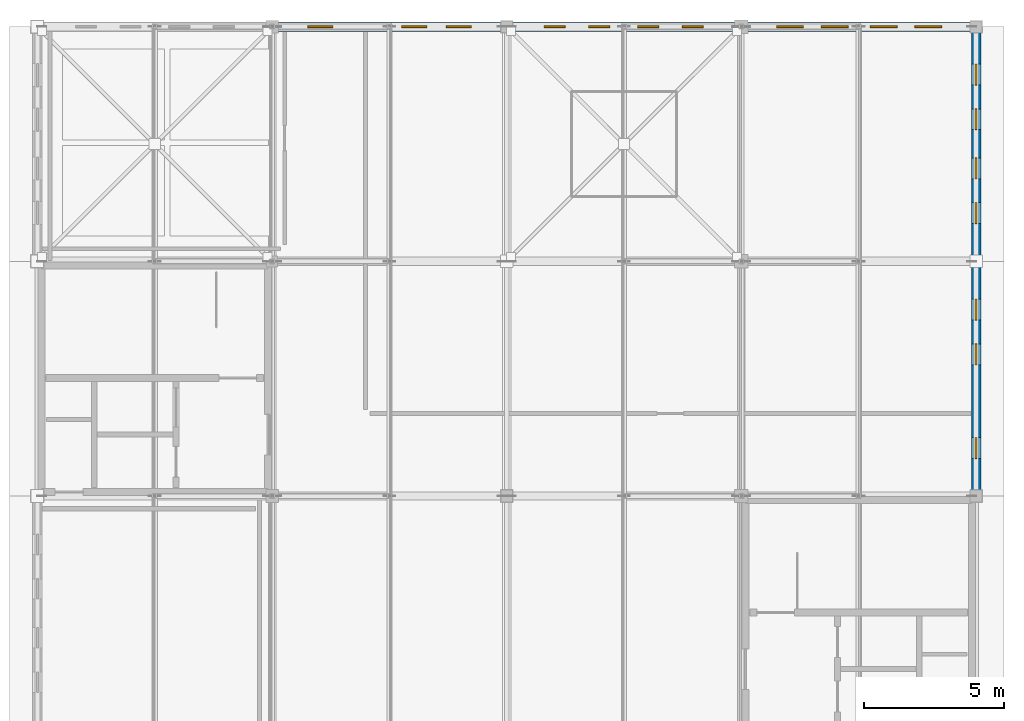
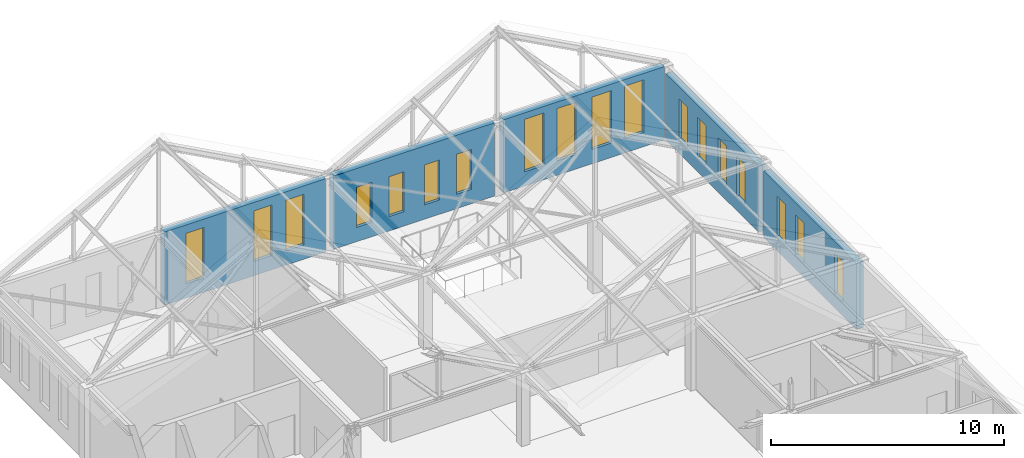
# One storey, part 35 of 36: 18 windows, 5 walls, 18 openings.
"""IFC4 building model written with IfcOpenShell, lengths in metres."""

from ifc_helpers import new_model, si_unit, direction, frame, frame_2d, origin, place, context, subcontext, project, spatial, rectangle, extrude, material, layer, layer_set, type_object, element, fill, save


model = new_model("IFC4")

# Units and contexts
model_context = context("Model", 3, precision=1e-05, world=origin(), true_north=direction((0.0, 1.0)))
body_context = subcontext(model_context, "Body", "Model", "MODEL_VIEW")
ifc_project = project(units=[si_unit("LENGTHUNIT", "METRE"), si_unit("AREAUNIT", "SQUARE_METRE"), si_unit("VOLUMEUNIT", "CUBIC_METRE"), si_unit("PLANEANGLEUNIT", "RADIAN"), si_unit("MASSUNIT", "GRAM", prefix="KILO")], contexts=[model_context])

# Site, building, storey
site_placement = place(None, origin())
site = spatial("IfcSite", under=ifc_project, at=site_placement, CompositionType="ELEMENT")
building_placement = place(site_placement, origin())
building = spatial("IfcBuilding", under=site, at=building_placement, Name="Kveldsbrygga Polytechnic", CompositionType="ELEMENT")
storey_placement = place(building_placement, frame((0.0, 0.0, 26.179931640625)))
storey = spatial("IfcBuildingStorey", under=building, at=storey_placement, Name="L06", CompositionType="ELEMENT", Elevation=26.179931640625)

# Wall, openings, windows
ifc_material_1 = material(Name="Fired clay brick masonry M10", Category="masonry")
ifc_layer = layer(ifc_material_1, 0.340087890625)
ifc_layer_set = layer_set([ifc_layer], Name="Fired clay brick masonry M10")
wall_type = type_object("IfcWallType", Name="EW-BRICK-340", PredefinedType="SOLIDWALL", material=ifc_layer_set)
wall_1_placement = place(storey_placement, frame((134.610107421875, 100.800048828125, 0.0), z_axis=(0.0, 0.0, 1.0), x_axis=(1.0, 0.0, 0.0)))
wall_1 = element("IfcWall", 1, at=wall_1_placement, inside=storey, type_object=wall_type, Name="Exterior Brick Wall EW-L06-X-16-12", PredefinedType="SOLIDWALL", context=body_context, shape_type="SweptSolid", body=[
    extrude(rectangle(XDim=7.994873046875, YDim=0.340087890625, at=frame_2d((3.99755859375, 0.0))), origin(), (0.0, 0.0, 1.0), 3.840087890625),
])
opening_1_placement = place(wall_1_placement, frame((1.069091796875, 0.0, 0.75)))
opening_1 = element("IfcOpeningElement", 2, at=opening_1_placement, cuts=wall_1, Name="Opening W-20", PredefinedType="OPENING", context=body_context, shape_type="SweptSolid", body=[
    extrude(rectangle(XDim=0.89990234375, YDim=2.64990234375, at=frame_2d((0.449951171875, 1.324951171875))), frame((0.0, 0.18017578125, 0.0), z_axis=(0.0, -1.0, 0.0), x_axis=(1.0, 0.0, 0.0)), (0.0, 0.0, 1.0), 0.360107421875),
])
opening_2_placement = place(wall_1_placement, frame((4.427001953125, 0.0, 0.75)))
opening_2 = element("IfcOpeningElement", 3, at=opening_2_placement, cuts=wall_1, Name="Opening W-20", PredefinedType="OPENING", context=body_context, shape_type="SweptSolid", body=[
    extrude(rectangle(XDim=0.89990234375, YDim=2.64990234375, at=frame_2d((0.449951171875, 1.324951171875))), frame((0.0, 0.18017578125, 0.0), z_axis=(0.0, -1.0, 0.0), x_axis=(1.0, 0.0, 0.0)), (0.0, 0.0, 1.0), 0.360107421875),
])
opening_3_placement = place(wall_1_placement, frame((6.02587890625, 0.0, 0.75)))
opening_3 = element("IfcOpeningElement", 4, at=opening_3_placement, cuts=wall_1, Name="Opening W-20", PredefinedType="OPENING", context=body_context, shape_type="SweptSolid", body=[
    extrude(rectangle(XDim=0.89990234375, YDim=2.64990234375, at=frame_2d((0.449951171875, 1.324951171875))), frame((0.0, 0.18017578125, 0.0), z_axis=(0.0, -1.0, 0.0), x_axis=(1.0, 0.0, 0.0)), (0.0, 0.0, 1.0), 0.360107421875),
])
ifc_material_2 = material(Name="Insulated triple low-E glass", Category="glass")
window_type_1 = type_object("IfcWindowType", Name="WN-LANC-090x265", PartitioningType="DOUBLE_PANEL_VERTICAL", PredefinedType="WINDOW", material=ifc_material_2)
window_1_placement = place(opening_1_placement, origin())
window_1 = element("IfcWindow", 5, at=window_1_placement, inside=storey, type_object=window_type_1, Name="Gothic Lancet Window WIN-L06-X-16-12-1", OverallHeight=2.64990234375, OverallWidth=0.89990234375, PartitioningType="DOUBLE_PANEL_VERTICAL", PredefinedType="WINDOW", context=body_context, shape_type="SweptSolid", body=[
    extrude(rectangle(XDim=0.89990234375, YDim=2.64990234375, at=frame_2d((0.449951171875, 1.324951171875))), frame((0.0, 0.030029296875, 0.0), z_axis=(0.0, -1.0, 0.0), x_axis=(1.0, 0.0, 0.0)), (0.0, 0.0, 1.0), 0.06005859375),
])
fill(opening_1, window_1)
window_2_placement = place(opening_2_placement, origin())
window_2 = element("IfcWindow", 6, at=window_2_placement, inside=storey, type_object=window_type_1, Name="Gothic Lancet Window WIN-L06-X-16-12-3", OverallHeight=2.64990234375, OverallWidth=0.89990234375, PartitioningType="DOUBLE_PANEL_VERTICAL", PredefinedType="WINDOW", context=body_context, shape_type="SweptSolid", body=[
    extrude(rectangle(XDim=0.89990234375, YDim=2.64990234375, at=frame_2d((0.449951171875, 1.324951171875))), frame((0.0, 0.030029296875, 0.0), z_axis=(0.0, -1.0, 0.0), x_axis=(1.0, 0.0, 0.0)), (0.0, 0.0, 1.0), 0.06005859375),
])
fill(opening_2, window_2)
window_3_placement = place(opening_3_placement, origin())
window_3 = element("IfcWindow", 7, at=window_3_placement, inside=storey, type_object=window_type_1, Name="Gothic Lancet Window WIN-L06-X-16-12-4", OverallHeight=2.64990234375, OverallWidth=0.89990234375, PartitioningType="DOUBLE_PANEL_VERTICAL", PredefinedType="WINDOW", context=body_context, shape_type="SweptSolid", body=[
    extrude(rectangle(XDim=0.89990234375, YDim=2.64990234375, at=frame_2d((0.449951171875, 1.324951171875))), frame((0.0, 0.030029296875, 0.0), z_axis=(0.0, -1.0, 0.0), x_axis=(1.0, 0.0, 0.0)), (0.0, 0.0, 1.0), 0.06005859375),
])
fill(opening_3, window_3)

wall_2_placement = place(storey_placement, frame((142.9951171875, 100.800048828125, 0.0), z_axis=(0.0, 0.0, 1.0), x_axis=(1.0, 0.0, 0.0)))
wall_2 = element("IfcWall", 8, at=wall_2_placement, inside=storey, type_object=wall_type, Name="Exterior Brick Wall EW-L06-X-17-12", PredefinedType="SOLIDWALL", context=body_context, shape_type="SweptSolid", body=[
    extrude(rectangle(XDim=7.97998046875, YDim=0.340087890625, at=frame_2d((3.989990234375, 0.0))), origin(), (0.0, 0.0, 1.0), 3.840087890625),
])
opening_4_placement = place(wall_2_placement, frame((1.14111328125, 0.0, 0.75)))
opening_4 = element("IfcOpeningElement", 9, at=opening_4_placement, cuts=wall_2, Name="Opening W-27", PredefinedType="OPENING", context=body_context, shape_type="SweptSolid", body=[
    extrude(rectangle(XDim=0.75, YDim=2.10009765625, at=frame_2d((0.375, 1.050048828125))), frame((0.0, 0.18017578125, 0.0), z_axis=(0.0, -1.0, 0.0), x_axis=(1.0, 0.0, 0.0)), (0.0, 0.0, 1.0), 0.360107421875),
])
opening_5_placement = place(wall_2_placement, frame((2.7373046875, 0.0, 0.75)))
opening_5 = element("IfcOpeningElement", 10, at=opening_5_placement, cuts=wall_2, Name="Opening W-27", PredefinedType="OPENING", context=body_context, shape_type="SweptSolid", body=[
    extrude(rectangle(XDim=0.75, YDim=2.10009765625, at=frame_2d((0.375, 1.050048828125))), frame((0.0, 0.18017578125, 0.0), z_axis=(0.0, -1.0, 0.0), x_axis=(1.0, 0.0, 0.0)), (0.0, 0.0, 1.0), 0.360107421875),
])
opening_6_placement = place(wall_2_placement, frame((4.492919921875, 0.0, 0.75)))
opening_6 = element("IfcOpeningElement", 11, at=opening_6_placement, cuts=wall_2, Name="Opening W-27", PredefinedType="OPENING", context=body_context, shape_type="SweptSolid", body=[
    extrude(rectangle(XDim=0.75, YDim=2.10009765625, at=frame_2d((0.375, 1.050048828125))), frame((0.0, 0.18017578125, 0.0), z_axis=(0.0, -1.0, 0.0), x_axis=(1.0, 0.0, 0.0)), (0.0, 0.0, 1.0), 0.360107421875),
])
opening_7_placement = place(wall_2_placement, frame((6.0888671875, 0.0, 0.75)))
opening_7 = element("IfcOpeningElement", 12, at=opening_7_placement, cuts=wall_2, Name="Opening W-27", PredefinedType="OPENING", context=body_context, shape_type="SweptSolid", body=[
    extrude(rectangle(XDim=0.75, YDim=2.10009765625, at=frame_2d((0.375, 1.050048828125))), frame((0.0, 0.18017578125, 0.0), z_axis=(0.0, -1.0, 0.0), x_axis=(1.0, 0.0, 0.0)), (0.0, 0.0, 1.0), 0.360107421875),
])
window_type_2 = type_object("IfcWindowType", Name="WN-ATTIC-075x210", PartitioningType="DOUBLE_PANEL_VERTICAL", PredefinedType="WINDOW", material=ifc_material_2)
window_4_placement = place(opening_4_placement, origin())
window_4 = element("IfcWindow", 13, at=window_4_placement, inside=storey, type_object=window_type_2, Name="Gothic Lancet Window WIN-L06-X-17-12-1", OverallHeight=2.10009765625, OverallWidth=0.75, PartitioningType="DOUBLE_PANEL_VERTICAL", PredefinedType="WINDOW", context=body_context, shape_type="SweptSolid", body=[
    extrude(rectangle(XDim=0.75, YDim=2.10009765625, at=frame_2d((0.375, 1.050048828125))), frame((0.0, 0.030029296875, 0.0), z_axis=(0.0, -1.0, 0.0), x_axis=(1.0, 0.0, 0.0)), (0.0, 0.0, 1.0), 0.06005859375),
])
fill(opening_4, window_4)
window_5_placement = place(opening_5_placement, origin())
window_5 = element("IfcWindow", 14, at=window_5_placement, inside=storey, type_object=window_type_2, Name="Gothic Lancet Window WIN-L06-X-17-12-2", OverallHeight=2.10009765625, OverallWidth=0.75, PartitioningType="DOUBLE_PANEL_VERTICAL", PredefinedType="WINDOW", context=body_context, shape_type="SweptSolid", body=[
    extrude(rectangle(XDim=0.75, YDim=2.10009765625, at=frame_2d((0.375, 1.050048828125))), frame((0.0, 0.030029296875, 0.0), z_axis=(0.0, -1.0, 0.0), x_axis=(1.0, 0.0, 0.0)), (0.0, 0.0, 1.0), 0.06005859375),
])
fill(opening_5, window_5)
window_6_placement = place(opening_6_placement, origin())
window_6 = element("IfcWindow", 15, at=window_6_placement, inside=storey, type_object=window_type_2, Name="Gothic Lancet Window WIN-L06-X-17-12-3", OverallHeight=2.10009765625, OverallWidth=0.75, PartitioningType="DOUBLE_PANEL_VERTICAL", PredefinedType="WINDOW", context=body_context, shape_type="SweptSolid", body=[
    extrude(rectangle(XDim=0.75, YDim=2.10009765625, at=frame_2d((0.375, 1.050048828125))), frame((0.0, 0.030029296875, 0.0), z_axis=(0.0, -1.0, 0.0), x_axis=(1.0, 0.0, 0.0)), (0.0, 0.0, 1.0), 0.06005859375),
])
fill(opening_6, window_6)
window_7_placement = place(opening_7_placement, origin())
window_7 = element("IfcWindow", 16, at=window_7_placement, inside=storey, type_object=window_type_2, Name="Gothic Lancet Window WIN-L06-X-17-12-4", OverallHeight=2.10009765625, OverallWidth=0.75, PartitioningType="DOUBLE_PANEL_VERTICAL", PredefinedType="WINDOW", context=body_context, shape_type="SweptSolid", body=[
    extrude(rectangle(XDim=0.75, YDim=2.10009765625, at=frame_2d((0.375, 1.050048828125))), frame((0.0, 0.030029296875, 0.0), z_axis=(0.0, -1.0, 0.0), x_axis=(1.0, 0.0, 0.0)), (0.0, 0.0, 1.0), 0.06005859375),
])
fill(opening_7, window_7)

wall_3_placement = place(storey_placement, frame((159.60009765625, 84.195068359375, 0.0), z_axis=(0.0, 0.0, 1.0), x_axis=(0.0, 1.0, 0.0)))
wall_3 = element("IfcWall", 17, at=wall_3_placement, inside=storey, type_object=wall_type, Name="Exterior Brick Wall EW-L06-Y-19-10", PredefinedType="SOLIDWALL", context=body_context, shape_type="SweptSolid", body=[
    extrude(rectangle(XDim=7.994873046875, YDim=0.340087890625, at=frame_2d((3.99755859375, 0.0))), origin(), (0.0, 0.0, 1.0), 3.47998046875),
])
opening_8_placement = place(wall_3_placement, frame((1.14404296875, 0.0, 0.75)))
opening_8 = element("IfcOpeningElement", 18, at=opening_8_placement, cuts=wall_3, Name="Opening W-27", PredefinedType="OPENING", context=body_context, shape_type="SweptSolid", body=[
    extrude(rectangle(XDim=0.75, YDim=2.10009765625, at=frame_2d((0.375, 1.050048828125))), frame((0.0, 0.18017578125, 0.0), z_axis=(0.0, -1.0, 0.0), x_axis=(1.0, 0.0, 0.0)), (0.0, 0.0, 1.0), 0.360107421875),
])
opening_9_placement = place(wall_3_placement, frame((4.501953125, 0.0, 0.75)))
opening_9 = element("IfcOpeningElement", 19, at=opening_9_placement, cuts=wall_3, Name="Opening W-27", PredefinedType="OPENING", context=body_context, shape_type="SweptSolid", body=[
    extrude(rectangle(XDim=0.75, YDim=2.10009765625, at=frame_2d((0.375, 1.050048828125))), frame((0.0, 0.18017578125, 0.0), z_axis=(0.0, -1.0, 0.0), x_axis=(1.0, 0.0, 0.0)), (0.0, 0.0, 1.0), 0.360107421875),
])
opening_10_placement = place(wall_3_placement, frame((6.100830078125, 0.0, 0.75)))
opening_10 = element("IfcOpeningElement", 20, at=opening_10_placement, cuts=wall_3, Name="Opening W-27", PredefinedType="OPENING", context=body_context, shape_type="SweptSolid", body=[
    extrude(rectangle(XDim=0.75, YDim=2.10009765625, at=frame_2d((0.375, 1.050048828125))), frame((0.0, 0.18017578125, 0.0), z_axis=(0.0, -1.0, 0.0), x_axis=(1.0, 0.0, 0.0)), (0.0, 0.0, 1.0), 0.360107421875),
])
window_8_placement = place(opening_8_placement, origin())
window_8 = element("IfcWindow", 21, at=window_8_placement, inside=storey, type_object=window_type_2, Name="Gothic Lancet Window WIN-L06-Y-19-10-1", OverallHeight=2.10009765625, OverallWidth=0.75, PartitioningType="DOUBLE_PANEL_VERTICAL", PredefinedType="WINDOW", context=body_context, shape_type="SweptSolid", body=[
    extrude(rectangle(XDim=0.75, YDim=2.10009765625, at=frame_2d((0.375, 1.050048828125))), frame((0.0, 0.030029296875, 0.0), z_axis=(0.0, -1.0, 0.0), x_axis=(1.0, 0.0, 0.0)), (0.0, 0.0, 1.0), 0.06005859375),
])
fill(opening_8, window_8)
window_9_placement = place(opening_9_placement, origin())
window_9 = element("IfcWindow", 22, at=window_9_placement, inside=storey, type_object=window_type_2, Name="Gothic Lancet Window WIN-L06-Y-19-10-3", OverallHeight=2.10009765625, OverallWidth=0.75, PartitioningType="DOUBLE_PANEL_VERTICAL", PredefinedType="WINDOW", context=body_context, shape_type="SweptSolid", body=[
    extrude(rectangle(XDim=0.75, YDim=2.10009765625, at=frame_2d((0.375, 1.050048828125))), frame((0.0, 0.030029296875, 0.0), z_axis=(0.0, -1.0, 0.0), x_axis=(1.0, 0.0, 0.0)), (0.0, 0.0, 1.0), 0.06005859375),
])
fill(opening_9, window_9)
window_10_placement = place(opening_10_placement, origin())
window_10 = element("IfcWindow", 23, at=window_10_placement, inside=storey, type_object=window_type_2, Name="Gothic Lancet Window WIN-L06-Y-19-10-4", OverallHeight=2.10009765625, OverallWidth=0.75, PartitioningType="DOUBLE_PANEL_VERTICAL", PredefinedType="WINDOW", context=body_context, shape_type="SweptSolid", body=[
    extrude(rectangle(XDim=0.75, YDim=2.10009765625, at=frame_2d((0.375, 1.050048828125))), frame((0.0, 0.030029296875, 0.0), z_axis=(0.0, -1.0, 0.0), x_axis=(1.0, 0.0, 0.0)), (0.0, 0.0, 1.0), 0.06005859375),
])
fill(opening_10, window_10)

wall_4_placement = place(storey_placement, frame((151.425048828125, 100.800048828125, 0.0), z_axis=(0.0, 0.0, 1.0), x_axis=(1.0, 0.0, 0.0)))
wall_4 = element("IfcWall", 24, at=wall_4_placement, inside=storey, type_object=wall_type, Name="Exterior Brick Wall EW-L06-X-18-12", PredefinedType="SOLIDWALL", context=body_context, shape_type="SweptSolid", body=[
    extrude(rectangle(XDim=7.97998046875, YDim=0.340087890625, at=frame_2d((3.989990234375, 0.0))), origin(), (0.0, 0.0, 1.0), 3.840087890625),
])
opening_11_placement = place(wall_4_placement, frame((1.0361328125, 0.0, 0.75)))
opening_11 = element("IfcOpeningElement", 25, at=opening_11_placement, cuts=wall_4, Name="Opening W-26", PredefinedType="OPENING", context=body_context, shape_type="SweptSolid", body=[
    extrude(rectangle(XDim=0.9599609375, YDim=2.75, at=frame_2d((0.47998046875, 1.375))), frame((0.0, 0.18017578125, 0.0), z_axis=(0.0, -1.0, 0.0), x_axis=(1.0, 0.0, 0.0)), (0.0, 0.0, 1.0), 0.360107421875),
])
opening_12_placement = place(wall_4_placement, frame((2.632080078125, 0.0, 0.75)))
opening_12 = element("IfcOpeningElement", 26, at=opening_12_placement, cuts=wall_4, Name="Opening W-26", PredefinedType="OPENING", context=body_context, shape_type="SweptSolid", body=[
    extrude(rectangle(XDim=0.9599609375, YDim=2.75, at=frame_2d((0.47998046875, 1.375))), frame((0.0, 0.18017578125, 0.0), z_axis=(0.0, -1.0, 0.0), x_axis=(1.0, 0.0, 0.0)), (0.0, 0.0, 1.0), 0.360107421875),
])
opening_13_placement = place(wall_4_placement, frame((4.3876953125, 0.0, 0.75)))
opening_13 = element("IfcOpeningElement", 27, at=opening_13_placement, cuts=wall_4, Name="Opening W-26", PredefinedType="OPENING", context=body_context, shape_type="SweptSolid", body=[
    extrude(rectangle(XDim=0.9599609375, YDim=2.75, at=frame_2d((0.47998046875, 1.375))), frame((0.0, 0.18017578125, 0.0), z_axis=(0.0, -1.0, 0.0), x_axis=(1.0, 0.0, 0.0)), (0.0, 0.0, 1.0), 0.360107421875),
])
opening_14_placement = place(wall_4_placement, frame((5.98388671875, 0.0, 0.75)))
opening_14 = element("IfcOpeningElement", 28, at=opening_14_placement, cuts=wall_4, Name="Opening W-26", PredefinedType="OPENING", context=body_context, shape_type="SweptSolid", body=[
    extrude(rectangle(XDim=0.9599609375, YDim=2.75, at=frame_2d((0.47998046875, 1.375))), frame((0.0, 0.18017578125, 0.0), z_axis=(0.0, -1.0, 0.0), x_axis=(1.0, 0.0, 0.0)), (0.0, 0.0, 1.0), 0.360107421875),
])
window_type_3 = type_object("IfcWindowType", Name="WN-WORK-096x275", PartitioningType="DOUBLE_PANEL_VERTICAL", PredefinedType="WINDOW", material=ifc_material_2)
window_11_placement = place(opening_11_placement, origin())
window_11 = element("IfcWindow", 29, at=window_11_placement, inside=storey, type_object=window_type_3, Name="Gothic Lancet Window WIN-L06-X-18-12-1", OverallHeight=2.75, OverallWidth=0.9599609375, PartitioningType="DOUBLE_PANEL_VERTICAL", PredefinedType="WINDOW", context=body_context, shape_type="SweptSolid", body=[
    extrude(rectangle(XDim=0.9599609375, YDim=2.75, at=frame_2d((0.47998046875, 1.375))), frame((0.0, 0.030029296875, 0.0), z_axis=(0.0, -1.0, 0.0), x_axis=(1.0, 0.0, 0.0)), (0.0, 0.0, 1.0), 0.06005859375),
])
fill(opening_11, window_11)
window_12_placement = place(opening_12_placement, origin())
window_12 = element("IfcWindow", 30, at=window_12_placement, inside=storey, type_object=window_type_3, Name="Gothic Lancet Window WIN-L06-X-18-12-2", OverallHeight=2.75, OverallWidth=0.9599609375, PartitioningType="DOUBLE_PANEL_VERTICAL", PredefinedType="WINDOW", context=body_context, shape_type="SweptSolid", body=[
    extrude(rectangle(XDim=0.9599609375, YDim=2.75, at=frame_2d((0.47998046875, 1.375))), frame((0.0, 0.030029296875, 0.0), z_axis=(0.0, -1.0, 0.0), x_axis=(1.0, 0.0, 0.0)), (0.0, 0.0, 1.0), 0.06005859375),
])
fill(opening_12, window_12)
window_13_placement = place(opening_13_placement, origin())
window_13 = element("IfcWindow", 31, at=window_13_placement, inside=storey, type_object=window_type_3, Name="Gothic Lancet Window WIN-L06-X-18-12-3", OverallHeight=2.75, OverallWidth=0.9599609375, PartitioningType="DOUBLE_PANEL_VERTICAL", PredefinedType="WINDOW", context=body_context, shape_type="SweptSolid", body=[
    extrude(rectangle(XDim=0.9599609375, YDim=2.75, at=frame_2d((0.47998046875, 1.375))), frame((0.0, 0.030029296875, 0.0), z_axis=(0.0, -1.0, 0.0), x_axis=(1.0, 0.0, 0.0)), (0.0, 0.0, 1.0), 0.06005859375),
])
fill(opening_13, window_13)
window_14_placement = place(opening_14_placement, origin())
window_14 = element("IfcWindow", 32, at=window_14_placement, inside=storey, type_object=window_type_3, Name="Gothic Lancet Window WIN-L06-X-18-12-4", OverallHeight=2.75, OverallWidth=0.9599609375, PartitioningType="DOUBLE_PANEL_VERTICAL", PredefinedType="WINDOW", context=body_context, shape_type="SweptSolid", body=[
    extrude(rectangle(XDim=0.9599609375, YDim=2.75, at=frame_2d((0.47998046875, 1.375))), frame((0.0, 0.030029296875, 0.0), z_axis=(0.0, -1.0, 0.0), x_axis=(1.0, 0.0, 0.0)), (0.0, 0.0, 1.0), 0.06005859375),
])
fill(opening_14, window_14)

wall_5_placement = place(storey_placement, frame((159.60009765625, 92.610107421875, 0.0), z_axis=(0.0, 0.0, 1.0), x_axis=(0.0, 1.0, 0.0)))
wall_5 = element("IfcWall", 33, at=wall_5_placement, inside=storey, type_object=wall_type, Name="Exterior Brick Wall EW-L06-Y-19-11", PredefinedType="SOLIDWALL", context=body_context, shape_type="SweptSolid", body=[
    extrude(rectangle(XDim=7.994873046875, YDim=0.340087890625, at=frame_2d((3.99755859375, 0.0))), origin(), (0.0, 0.0, 1.0), 3.47998046875),
])
opening_15_placement = place(wall_5_placement, frame((1.14404296875, 0.0, 0.75)))
opening_15 = element("IfcOpeningElement", 34, at=opening_15_placement, cuts=wall_5, Name="Opening W-27", PredefinedType="OPENING", context=body_context, shape_type="SweptSolid", body=[
    extrude(rectangle(XDim=0.75, YDim=2.10009765625, at=frame_2d((0.375, 1.050048828125))), frame((0.0, 0.18017578125, 0.0), z_axis=(0.0, -1.0, 0.0), x_axis=(1.0, 0.0, 0.0)), (0.0, 0.0, 1.0), 0.360107421875),
])
opening_16_placement = place(wall_5_placement, frame((2.7431640625, 0.0, 0.75)))
opening_16 = element("IfcOpeningElement", 35, at=opening_16_placement, cuts=wall_5, Name="Opening W-27", PredefinedType="OPENING", context=body_context, shape_type="SweptSolid", body=[
    extrude(rectangle(XDim=0.75, YDim=2.10009765625, at=frame_2d((0.375, 1.050048828125))), frame((0.0, 0.18017578125, 0.0), z_axis=(0.0, -1.0, 0.0), x_axis=(1.0, 0.0, 0.0)), (0.0, 0.0, 1.0), 0.360107421875),
])
opening_17_placement = place(wall_5_placement, frame((4.501953125, 0.0, 0.75)))
opening_17 = element("IfcOpeningElement", 36, at=opening_17_placement, cuts=wall_5, Name="Opening W-27", PredefinedType="OPENING", context=body_context, shape_type="SweptSolid", body=[
    extrude(rectangle(XDim=0.75, YDim=2.10009765625, at=frame_2d((0.375, 1.050048828125))), frame((0.0, 0.18017578125, 0.0), z_axis=(0.0, -1.0, 0.0), x_axis=(1.0, 0.0, 0.0)), (0.0, 0.0, 1.0), 0.360107421875),
])
opening_18_placement = place(wall_5_placement, frame((6.100830078125, 0.0, 0.75)))
opening_18 = element("IfcOpeningElement", 37, at=opening_18_placement, cuts=wall_5, Name="Opening W-27", PredefinedType="OPENING", context=body_context, shape_type="SweptSolid", body=[
    extrude(rectangle(XDim=0.75, YDim=2.10009765625, at=frame_2d((0.375, 1.050048828125))), frame((0.0, 0.18017578125, 0.0), z_axis=(0.0, -1.0, 0.0), x_axis=(1.0, 0.0, 0.0)), (0.0, 0.0, 1.0), 0.360107421875),
])
window_15_placement = place(opening_15_placement, origin())
window_15 = element("IfcWindow", 38, at=window_15_placement, inside=storey, type_object=window_type_2, Name="Gothic Lancet Window WIN-L06-Y-19-11-1", OverallHeight=2.10009765625, OverallWidth=0.75, PartitioningType="DOUBLE_PANEL_VERTICAL", PredefinedType="WINDOW", context=body_context, shape_type="SweptSolid", body=[
    extrude(rectangle(XDim=0.75, YDim=2.10009765625, at=frame_2d((0.375, 1.050048828125))), frame((0.0, 0.030029296875, 0.0), z_axis=(0.0, -1.0, 0.0), x_axis=(1.0, 0.0, 0.0)), (0.0, 0.0, 1.0), 0.06005859375),
])
fill(opening_15, window_15)
window_16_placement = place(opening_16_placement, origin())
window_16 = element("IfcWindow", 39, at=window_16_placement, inside=storey, type_object=window_type_2, Name="Gothic Lancet Window WIN-L06-Y-19-11-2", OverallHeight=2.10009765625, OverallWidth=0.75, PartitioningType="DOUBLE_PANEL_VERTICAL", PredefinedType="WINDOW", context=body_context, shape_type="SweptSolid", body=[
    extrude(rectangle(XDim=0.75, YDim=2.10009765625, at=frame_2d((0.375, 1.050048828125))), frame((0.0, 0.030029296875, 0.0), z_axis=(0.0, -1.0, 0.0), x_axis=(1.0, 0.0, 0.0)), (0.0, 0.0, 1.0), 0.06005859375),
])
fill(opening_16, window_16)
window_17_placement = place(opening_17_placement, origin())
window_17 = element("IfcWindow", 40, at=window_17_placement, inside=storey, type_object=window_type_2, Name="Gothic Lancet Window WIN-L06-Y-19-11-3", OverallHeight=2.10009765625, OverallWidth=0.75, PartitioningType="DOUBLE_PANEL_VERTICAL", PredefinedType="WINDOW", context=body_context, shape_type="SweptSolid", body=[
    extrude(rectangle(XDim=0.75, YDim=2.10009765625, at=frame_2d((0.375, 1.050048828125))), frame((0.0, 0.030029296875, 0.0), z_axis=(0.0, -1.0, 0.0), x_axis=(1.0, 0.0, 0.0)), (0.0, 0.0, 1.0), 0.06005859375),
])
fill(opening_17, window_17)
window_18_placement = place(opening_18_placement, origin())
window_18 = element("IfcWindow", 41, at=window_18_placement, inside=storey, type_object=window_type_2, Name="Gothic Lancet Window WIN-L06-Y-19-11-4", OverallHeight=2.10009765625, OverallWidth=0.75, PartitioningType="DOUBLE_PANEL_VERTICAL", PredefinedType="WINDOW", context=body_context, shape_type="SweptSolid", body=[
    extrude(rectangle(XDim=0.75, YDim=2.10009765625, at=frame_2d((0.375, 1.050048828125))), frame((0.0, 0.030029296875, 0.0), z_axis=(0.0, -1.0, 0.0), x_axis=(1.0, 0.0, 0.0)), (0.0, 0.0, 1.0), 0.06005859375),
])
fill(opening_18, window_18)

save(model, "model.ifc")
